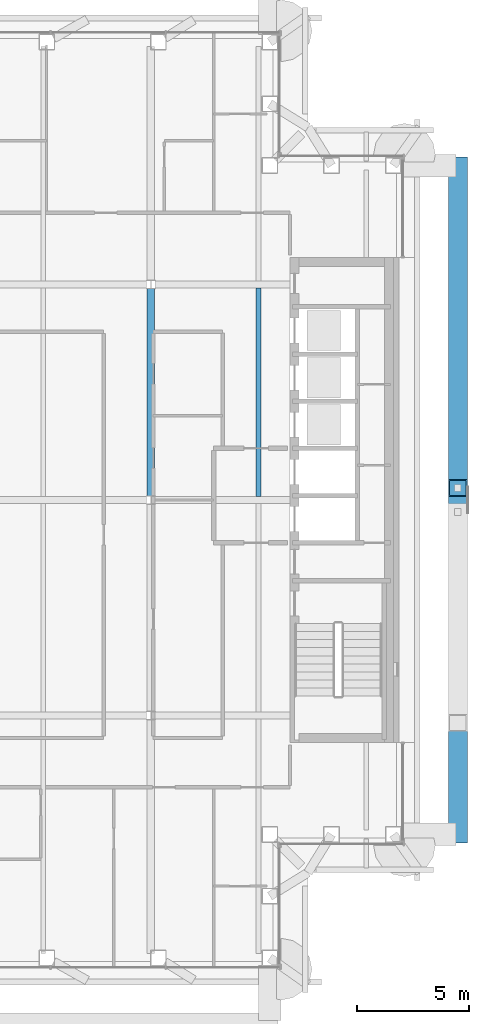
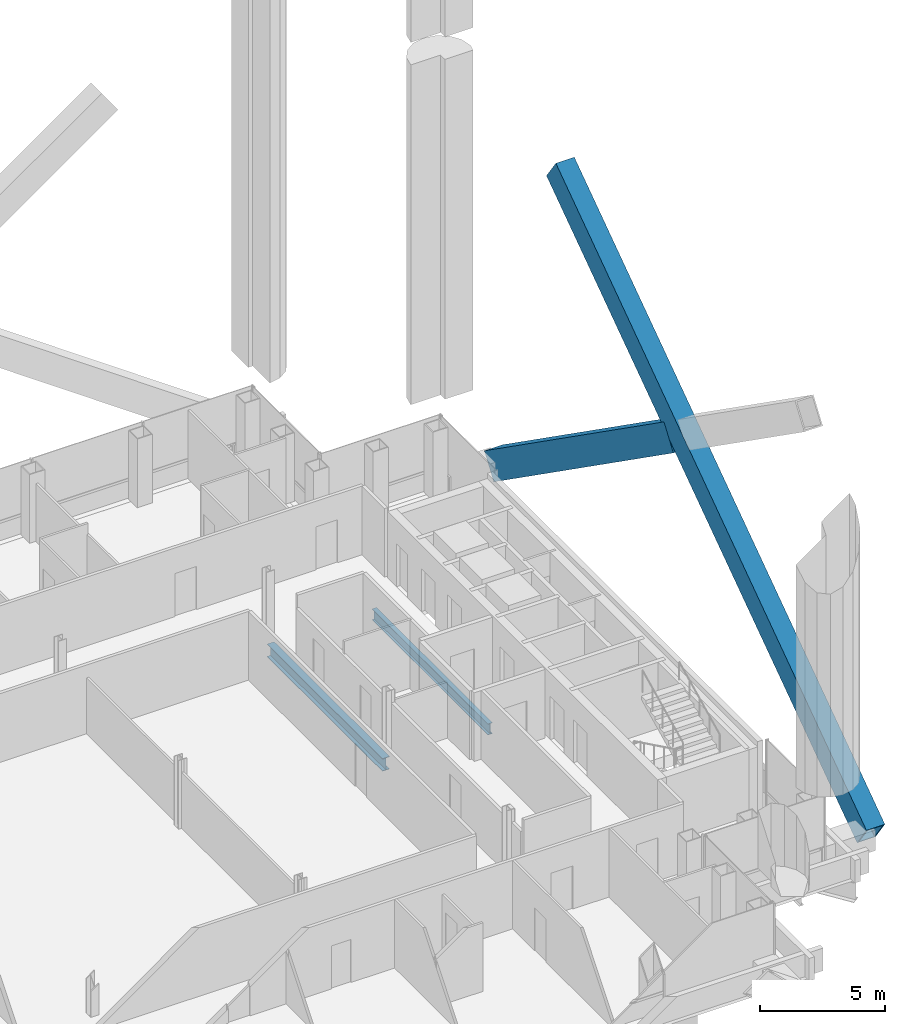
# One storey, part 7 of 22: 2 beams, 2 members.
"""IFC4 building model written with IfcOpenShell, lengths in metres."""

from ifc_helpers import new_model, si_unit, direction, frame, origin, origin_2d, place, context, subcontext, project, spatial, hollow_rectangle, i_section, extrude, material, material_profile, profile_set, type_object, element, save


model = new_model("IFC4")

# Units and contexts
model_context = context("Model", 3, precision=1e-05, world=origin(), true_north=direction((0.0, 1.0)))
body_context = subcontext(model_context, "Body", "Model", "MODEL_VIEW")
ifc_project = project(units=[si_unit("LENGTHUNIT", "METRE"), si_unit("AREAUNIT", "SQUARE_METRE"), si_unit("VOLUMEUNIT", "CUBIC_METRE"), si_unit("PLANEANGLEUNIT", "RADIAN"), si_unit("MASSUNIT", "GRAM", prefix="KILO")], contexts=[model_context])

# Site, building, storey
site_placement = place(None, origin())
site = spatial("IfcSite", under=ifc_project, at=site_placement, CompositionType="ELEMENT")
building_placement = place(site_placement, origin())
building = spatial("IfcBuilding", under=site, at=building_placement, Name="Cobrizo Arcos Hotel Tower", CompositionType="ELEMENT")
storey_placement = place(building_placement, frame((0.0, 0.0, 191.0)))
storey = spatial("IfcBuildingStorey", under=building, at=storey_placement, Name="L49", CompositionType="ELEMENT", Elevation=191.0)

# Members
ifc_material_1 = material(Name="Steel ASTM A572 Grade 50", Category="steel")
ifc_material_profile_1 = material_profile(ifc_material_1, hollow_rectangle(XDim=0.85009765625, YDim=1.300048828125, WallThickness=0.06005859375, at=origin_2d()), Name="BOX 850X1300X60")
ifc_profile_set_1 = profile_set([ifc_material_profile_1], Name="Steel ASTM A572 Grade 50")
member_type = type_object("IfcMemberType", Name="BOX 850X1300X60 perimeter brace", PredefinedType="BRACE", material=ifc_profile_set_1)
member_1_placement = place(storey_placement, frame((23.27490234375, -14.89990234375, 0.5), z_axis=(0.0, 0.81742283515, 0.576038113821), x_axis=(-1.0, 0.0, 0.0)))
element("IfcMember", 1, at=member_1_placement, inside=storey, type_object=member_type, Name="Perimeter brace PBR4, zone Z4, east face, no. 00", PredefinedType="BRACE", context=body_context, shape_type="SweptSolid", body=[
    extrude(hollow_rectangle(XDim=0.85009765625, YDim=1.300048828125, WallThickness=0.06005859375, at=origin_2d()), origin(), (0.0, 0.0, 1.0), 30.3798828125),
])
member_2_placement = place(storey_placement, frame((23.27490234375, 14.89990234375, 0.5), z_axis=(0.0, -0.817421308529, 0.576040280157), x_axis=(1.0, 0.0, 0.0)))
element("IfcMember", 2, at=member_2_placement, inside=storey, type_object=member_type, Name="Perimeter brace PBR4, zone Z4, east face, no. 01", PredefinedType="BRACE", context=body_context, shape_type="SweptSolid", body=[
    extrude(hollow_rectangle(XDim=0.85009765625, YDim=1.300048828125, WallThickness=0.06005859375, at=origin_2d()), origin(), (0.0, 0.0, 1.0), 17.567626953125),
])

# Beams
ifc_material_2 = material(Name="Steel ASTM A992 Grade 50", Category="steel")
ifc_material_profile_2 = material_profile(ifc_material_2, i_section(OverallWidth=0.209228515625, OverallDepth=0.533447265625, WebThickness=0.01025390625, FlangeThickness=0.015625, at=origin_2d()), Name="W21X62")
ifc_profile_set_2 = profile_set([ifc_material_profile_2], Name="Steel ASTM A992 Grade 50")
beam_type_1 = type_object("IfcBeamType", Name="W21X62 joist", PredefinedType="JOIST", material=ifc_profile_set_2)
beam_1_placement = place(storey_placement, frame((14.39990234375, 0.163818359375, -0.416748046875), z_axis=(0.0, 1.0, 0.0), x_axis=(-1.0, 0.0, 0.0)))
element("IfcBeam", 3, at=beam_1_placement, inside=storey, type_object=beam_type_1, Name="Floor joist J1, L49, no. 019", PredefinedType="JOIST", context=body_context, shape_type="SweptSolid", body=[
    extrude(i_section(OverallWidth=0.209228515625, OverallDepth=0.533447265625, WebThickness=0.01025390625, FlangeThickness=0.015625, at=origin_2d()), origin(), (0.0, 0.0, 1.0), 9.272216796875),
])
ifc_material_profile_3 = material_profile(ifc_material_2, i_section(OverallWidth=0.32763671875, OverallDepth=0.622314453125, WebThickness=0.015380859375, FlangeThickness=0.0244140625, at=origin_2d()), Name="W24X131")
ifc_profile_set_3 = profile_set([ifc_material_profile_3], Name="Steel ASTM A992 Grade 50")
beam_type_2 = type_object("IfcBeamType", Name="W24X131 girder", PredefinedType="BEAM", material=ifc_profile_set_3)
beam_2_placement = place(storey_placement, frame((9.60009765625, 0.186767578125, -0.461181640625), z_axis=(0.0, 1.0, 0.0), x_axis=(-1.0, 0.0, 0.0)))
element("IfcBeam", 4, at=beam_2_placement, inside=storey, type_object=beam_type_2, Name="Floor girder G1, L49, no. 023", PredefinedType="BEAM", context=body_context, shape_type="SweptSolid", body=[
    extrude(i_section(OverallWidth=0.32763671875, OverallDepth=0.622314453125, WebThickness=0.015380859375, FlangeThickness=0.0244140625, at=origin_2d()), origin(), (0.0, 0.0, 1.0), 9.2265625),
])

save(model, "model.ifc")
